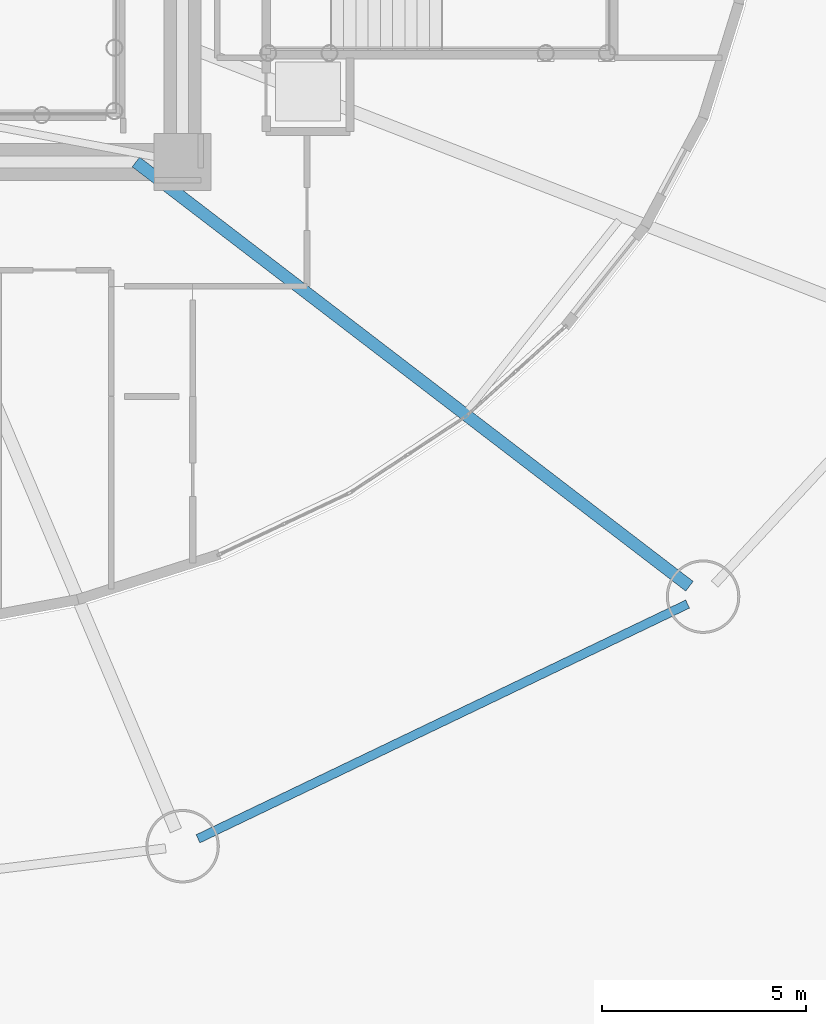
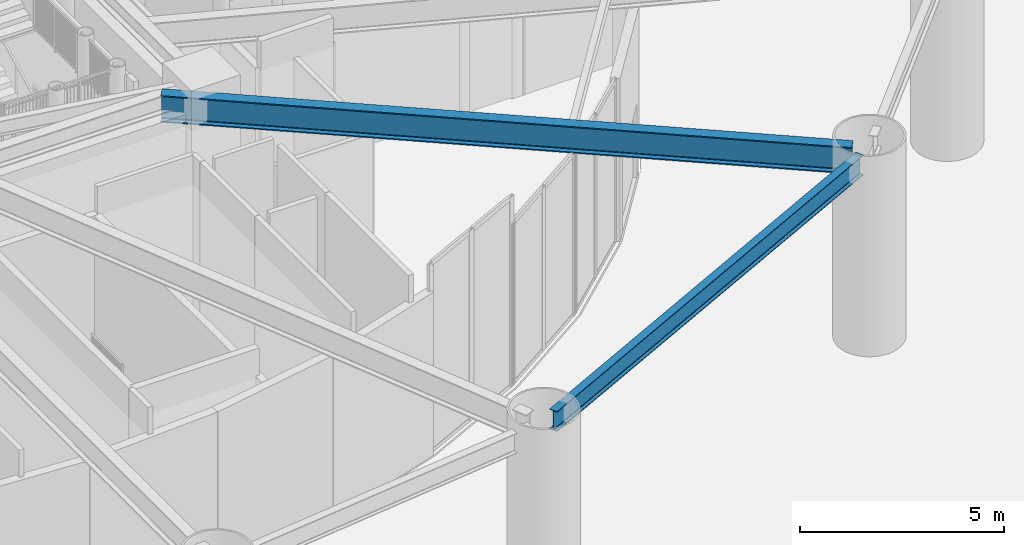
# One storey, part 13 of 46: 2 beams.
"""IFC4 building model written with IfcOpenShell, lengths in metres."""

from ifc_helpers import new_model, si_unit, direction, frame, origin, origin_2d, place, context, subcontext, project, spatial, i_section, extrude, material, material_profile, profile_set, type_object, element, save


model = new_model("IFC4")

# Units and contexts
model_context = context("Model", 3, precision=1e-05, world=origin(), true_north=direction((0.0, 1.0)))
body_context = subcontext(model_context, "Body", "Model", "MODEL_VIEW")
ifc_project = project(units=[si_unit("LENGTHUNIT", "METRE"), si_unit("AREAUNIT", "SQUARE_METRE"), si_unit("VOLUMEUNIT", "CUBIC_METRE"), si_unit("PLANEANGLEUNIT", "RADIAN"), si_unit("MASSUNIT", "GRAM", prefix="KILO")], contexts=[model_context])

# Site, building, storey
site_placement = place(None, origin())
site = spatial("IfcSite", under=ifc_project, at=site_placement, CompositionType="ELEMENT")
building_placement = place(site_placement, origin())
building = spatial("IfcBuilding", under=site, at=building_placement, Name="Linh Dai School and Residence Tower", CompositionType="ELEMENT")
storey_placement = place(building_placement, origin())
storey = spatial("IfcBuildingStorey", under=building, at=storey_placement, Name="L00", CompositionType="ELEMENT", Elevation=0.0)

# Beams
ifc_material = material(Name="Structural Steel S355JR", Category="steel")
ifc_material_profile_1 = material_profile(ifc_material, i_section(OverallWidth=0.219970703125, OverallDepth=0.60009765625, WebThickness=0.011962890625, FlangeThickness=0.01904296875, FilletRadius=0.02392578125, at=origin_2d()), Name="IPE 600")
ifc_profile_set_1 = profile_set([ifc_material_profile_1], Name="Structural Steel S355JR")
beam_type_1 = type_object("IfcBeamType", Name="BM-RB60", PredefinedType="BEAM", material=ifc_profile_set_1)
beam_1_placement = place(storey_placement, frame((46.329833984375, 3.66552734375, 5.39990234375), z_axis=(0.901703667424, 0.432354595388, 0.0), x_axis=(-0.432354595388, 0.901703667424, 0.0)))
element("IfcBeam", 1, at=beam_1_placement, inside=storey, type_object=beam_type_1, Name="L00 Perimeter Elliptical Ring Beam 14", PredefinedType="BEAM", context=body_context, shape_type="SweptSolid", body=[
    extrude(i_section(OverallWidth=0.219970703125, OverallDepth=0.60009765625, WebThickness=0.011962890625, FlangeThickness=0.01904296875, FilletRadius=0.02392578125, at=origin_2d()), origin(), (0.0, 0.0, 1.0), 13.304443359375),
])
ifc_material_profile_2 = material_profile(ifc_material, i_section(OverallWidth=0.300048828125, OverallDepth=0.800048828125, WebThickness=0.017578125, FlangeThickness=0.032958984375, FilletRadius=0.030029296875, at=origin_2d()), Name="HEB 800")
ifc_profile_set_2 = profile_set([ifc_material_profile_2], Name="Structural Steel S355JR")
beam_type_2 = type_object("IfcBeamType", Name="BM-RG8", PredefinedType="BEAM", material=ifc_profile_set_2)
beam_2_placement = place(storey_placement, frame((44.807861328125, 20.25, 5.300048828125), z_axis=(0.793713040757, -0.608292371259, 0.0), x_axis=(0.608292371259, 0.793713040757, 0.0)))
element("IfcBeam", 2, at=beam_2_placement, inside=storey, type_object=beam_type_2, Name="L00 Primary Radial Floor Girder 15", PredefinedType="BEAM", context=body_context, shape_type="SweptSolid", body=[
    extrude(i_section(OverallWidth=0.300048828125, OverallDepth=0.800048828125, WebThickness=0.017578125, FlangeThickness=0.032958984375, FilletRadius=0.030029296875, at=origin_2d()), origin(), (0.0, 0.0, 1.0), 17.08935546875),
])

save(model, "model.ifc")
